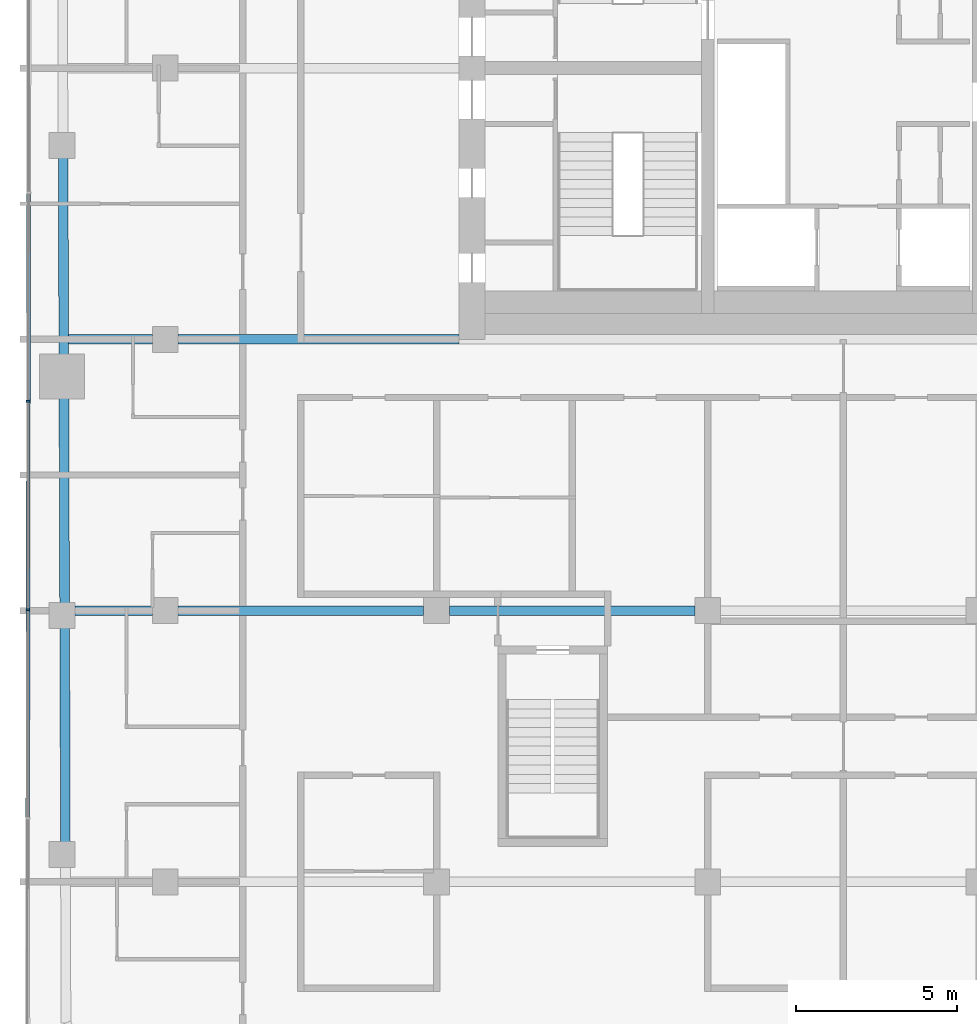
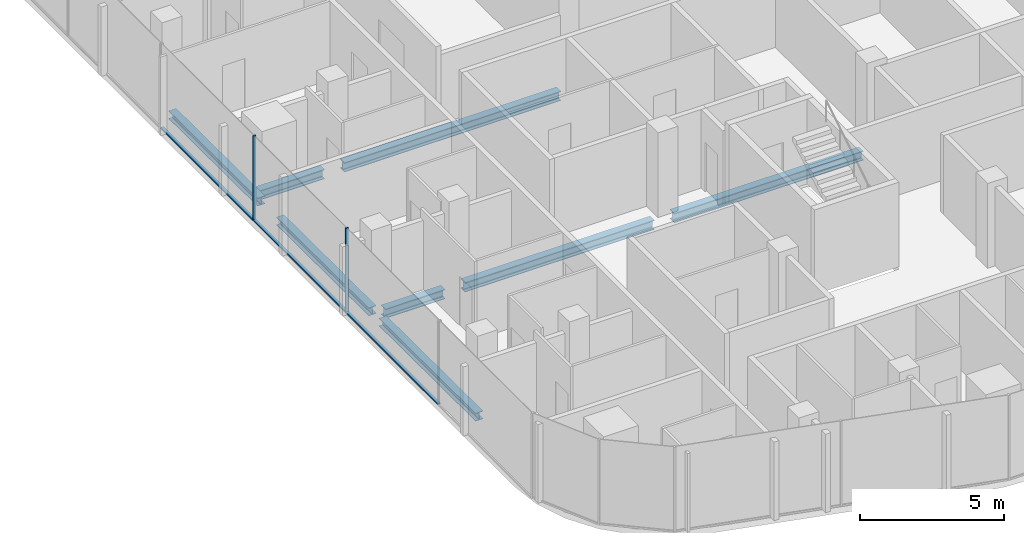
# One storey, part 4 of 22: 8 beams, 5 members, 1 element without a shape of its own.
"""IFC4 building model written with IfcOpenShell, lengths in metres."""

import ifcopenshell
import ifcopenshell.guid

model = None  # the IFC model being written
_history = None  # IfcOwnerHistory: only IFC2X3 demands one
_inside = {}  # id of a spatial element -> (the spatial element, [elements in it])
_under = {}  # id of a project, library or spatial element -> (it, [spatial elements below it])
_declared = {}  # id of a project -> (the project, [libraries it declares])
_typed = {}  # id of a type object -> (the type object, [elements of that type])
_made_of = {}  # id of a material, layer set ... -> (it, [elements and type objects made of it])


def new_model(schema):
    """Start an empty IFC model of exactly this schema.

    Asked for "IFC4X3", IfcOpenShell would pick the latest addendum, in which some entities
    have other attributes; the version numbers below select the first issue.
    IFC2X3 requires an IfcOwnerHistory on every rooted entity: one is made here for all.
    """
    global model, _history
    if schema == "IFC4X3":
        model = ifcopenshell.file(schema_version=(4, 3, 0, 0))
    else:
        model = ifcopenshell.file(schema=schema)
    _inside.clear()
    _under.clear()
    _declared.clear()
    _typed.clear()
    _made_of.clear()
    _history = None
    if model.schema == "IFC2X3":
        org = make("IfcOrganization", Name="unknown")
        user = make(
            "IfcPersonAndOrganization",
            ThePerson=make("IfcPerson", FamilyName="unknown"),
            TheOrganization=org,
        )
        app = make(
            "IfcApplication",
            ApplicationDeveloper=org,
            Version="unknown",
            ApplicationFullName="unknown",
            ApplicationIdentifier="unknown",
        )
        _history = make(
            "IfcOwnerHistory",
            OwningUser=user,
            OwningApplication=app,
            ChangeAction="ADDED",
            CreationDate=0,
        )
    return model


def make(cls, **values):
    """One entity of the class cls with the attributes given. An attribute that is None is left unset."""
    return model.create_entity(
        cls, **{name: value for name, value in values.items() if value is not None}
    )


def rooted(cls, **values):
    """An entity with a GlobalId (a new one), such as an element, a storey or a relation."""
    return make(cls, GlobalId=ifcopenshell.guid.new(), OwnerHistory=_history, **values)


def si_unit(unit_type, name, prefix=None):
    """IfcSIUnit, for example si_unit("LENGTHUNIT", "METRE", prefix="MILLI")."""
    return make("IfcSIUnit", UnitType=unit_type, Prefix=prefix, Name=name)


def assignment(units):
    """IfcUnitAssignment: the units of a project."""
    return None if units is None else make("IfcUnitAssignment", Units=units)


def point(xyz):
    """IfcCartesianPoint."""
    return None if xyz is None else make("IfcCartesianPoint", Coordinates=xyz)


def direction(xyz):
    """IfcDirection."""
    return None if xyz is None else make("IfcDirection", DirectionRatios=xyz)


def frame(location, z_axis=None, x_axis=None):
    """IfcAxis2Placement3D, a coordinate frame: its origin and axes. An axis left out is left unset."""
    return make(
        "IfcAxis2Placement3D",
        Location=point(location),
        Axis=direction(z_axis),
        RefDirection=direction(x_axis),
    )


def frame_2d(location, x_axis=None):
    """IfcAxis2Placement2D, a coordinate frame in the plane: its origin and x axis."""
    return make(
        "IfcAxis2Placement2D", Location=point(location), RefDirection=direction(x_axis)
    )


def origin():
    """The frame at (0, 0, 0) with its axes left unset."""
    return frame((0.0, 0.0, 0.0))


def origin_2d():
    """The frame at (0, 0) in the plane with its x axis left unset."""
    return frame_2d((0.0, 0.0))


def place(relative_to, where):
    """IfcLocalPlacement: puts the frame where relative to a parent placement (None: the world)."""
    return make(
        "IfcLocalPlacement", PlacementRelTo=relative_to, RelativePlacement=where
    )


def context(
    kind, dimensions, precision=None, world=None, true_north=None, identifier=None
):
    """IfcGeometricRepresentationContext, for example the 3D "Model" context."""
    return make(
        "IfcGeometricRepresentationContext",
        ContextIdentifier=identifier,
        ContextType=kind,
        CoordinateSpaceDimension=dimensions,
        Precision=precision,
        WorldCoordinateSystem=world,
        TrueNorth=true_north,
    )


def subcontext(parent, identifier, kind, view, scale=None):
    """IfcGeometricRepresentationSubContext, for example "Body" below "Model"."""
    return make(
        "IfcGeometricRepresentationSubContext",
        ContextIdentifier=identifier,
        ContextType=kind,
        ParentContext=parent,
        TargetScale=scale,
        TargetView=view,
    )


def project(units=None, contexts=None):
    """IfcProject with its units and contexts."""
    return rooted(
        "IfcProject",
        Name="project",
        RepresentationContexts=contexts,
        UnitsInContext=assignment(units),
    )


def spatial(cls, under=None, at=None, **own):
    """A site, building, storey or space (cls), placed at a placement, below another one or the project."""
    s = rooted(cls, ObjectPlacement=at, **own)
    if under is not None:
        _under.setdefault(under.id(), (under, []))[1].append(s)
    return s


def profile(cls, at=None, kind="AREA", **sizes):
    """A parametric profile (cls). Its sizes go by their IFC names, for example OverallWidth=200.0."""
    return make(cls, ProfileType=kind, Position=at, **sizes)


def rectangle(**sizes):
    """IfcRectangleProfileDef."""
    return profile("IfcRectangleProfileDef", **sizes)


def i_section(**sizes):
    """IfcIShapeProfileDef."""
    return profile("IfcIShapeProfileDef", **sizes)


def extrude(swept, where, along, depth):
    """IfcExtrudedAreaSolid: the profile swept, set in the frame where, extruded along a direction by depth."""
    return make(
        "IfcExtrudedAreaSolid",
        SweptArea=swept,
        Position=where,
        ExtrudedDirection=direction(along),
        Depth=depth,
    )


def shape(context_of_items, identifier, shape_type, items):
    """IfcShapeRepresentation: the items that make up one representation, for example the "Body"."""
    return make(
        "IfcShapeRepresentation",
        ContextOfItems=context_of_items,
        RepresentationIdentifier=identifier,
        RepresentationType=shape_type,
        Items=items,
    )


def material(Name=None, Category=None):
    """IfcMaterial."""
    return make("IfcMaterial", Name=Name, Category=Category)


def layer(
    of_material, thickness, ventilated=None, Name=None, Category=None, Priority=None
):
    """IfcMaterialLayer: one layer of a wall or slab, of a material (None: an air gap)."""
    return make(
        "IfcMaterialLayer",
        Material=of_material,
        LayerThickness=thickness,
        IsVentilated=ventilated,
        Name=Name,
        Category=Category,
        Priority=Priority,
    )


def layer_set(layers, Name=None):
    """IfcMaterialLayerSet."""
    return make("IfcMaterialLayerSet", MaterialLayers=layers, LayerSetName=Name)


def material_profile(
    of_material, cross_section, Name=None, Category=None, Priority=None
):
    """IfcMaterialProfile: a cross section and its material."""
    return make(
        "IfcMaterialProfile",
        Name=Name,
        Material=of_material,
        Profile=cross_section,
        Priority=Priority,
        Category=Category,
    )


def profile_set(profiles, Name=None, composite=None):
    """IfcMaterialProfileSet."""
    return make(
        "IfcMaterialProfileSet",
        Name=Name,
        MaterialProfiles=profiles,
        CompositeProfile=composite,
    )


def made_of(thing, what):
    """Note that an element or type object is made of a material, layer set ...; save() writes the relation."""
    if what is not None:
        _made_of.setdefault(what.id(), (what, []))[1].append(thing)
    return thing


def type_object(cls, material=None, **own):
    """A type object (cls), such as IfcWallType, which elements share."""
    return made_of(rooted(cls, **own), material)


def element(
    cls,
    number,
    at=None,
    inside=None,
    cuts=None,
    type_object=None,
    material=None,
    context=None,
    identifier="Body",
    shape_type=None,
    held_by="IfcProductDefinitionShape",
    body=None,
    shapes=None,
    **own,
):
    """One element of the class cls, such as IfcWall. Its Tag is "e" and its number.

    at: its placement. inside: the storey or other place that contains it. cuts: it is an
    opening in that element (IfcRelVoidsElement). A single representation is given by context,
    identifier, shape_type and body (its items); several are given by shapes. held_by: the class
    of the entity that holds the representations. save() writes the other relations.
    """
    e = rooted(cls, Tag="e%d" % number, ObjectPlacement=at, **own)
    if body is not None:
        shapes = [shape(context, identifier, shape_type, body)]
    if shapes is not None:
        e.Representation = make(held_by, Representations=shapes)
    if inside is not None:
        _inside.setdefault(inside.id(), (inside, []))[1].append(e)
    if cuts is not None:
        rooted(
            "IfcRelVoidsElement", RelatingBuildingElement=cuts, RelatedOpeningElement=e
        )
    if type_object is not None:
        _typed.setdefault(type_object.id(), (type_object, []))[1].append(e)
    return made_of(e, material)


def aggregate(whole, parts):
    """IfcRelAggregates: a whole, such as a stair, and the parts it consists of."""
    return rooted("IfcRelAggregates", RelatingObject=whole, RelatedObjects=parts)


def save(model, path):
    """Write the relations noted so far, then the file.

    IfcRelAggregates (storeys below a building ...), IfcRelContainedInSpatialStructure (elements
    in a storey), IfcRelDefinesByType, IfcRelAssociatesMaterial and IfcRelDeclares: one each for
    every whole, place, type object, material and project.
    """
    for whole, parts in _under.values():
        aggregate(whole, parts)
    for where, things in _inside.values():
        rooted(
            "IfcRelContainedInSpatialStructure",
            RelatedElements=things,
            RelatingStructure=where,
        )
    for kind, things in _typed.values():
        rooted("IfcRelDefinesByType", RelatedObjects=things, RelatingType=kind)
    for what, things in _made_of.values():
        rooted("IfcRelAssociatesMaterial", RelatedObjects=things, RelatingMaterial=what)
    for by, libraries in _declared.values():
        rooted("IfcRelDeclares", RelatingContext=by, RelatedDefinitions=libraries)
    model.write(path)


model = new_model("IFC4")

# Units and contexts
model_context = context("Model", 3, precision=1e-05, world=origin(), true_north=direction((0.0, 1.0)))
body_context = subcontext(model_context, "Body", "Model", "MODEL_VIEW")
ifc_project = project(units=[si_unit("LENGTHUNIT", "METRE"), si_unit("AREAUNIT", "SQUARE_METRE"), si_unit("VOLUMEUNIT", "CUBIC_METRE"), si_unit("PLANEANGLEUNIT", "RADIAN"), si_unit("MASSUNIT", "GRAM", prefix="KILO")], contexts=[model_context])

# Site, building, storey
site_placement = place(None, origin())
site = spatial("IfcSite", under=ifc_project, at=site_placement, CompositionType="ELEMENT")
building_placement = place(site_placement, origin())
building = spatial("IfcBuilding", under=site, at=building_placement, Name="Marenta Gate Hotel Tower", CompositionType="ELEMENT")
storey_placement = place(building_placement, frame((0.0, 0.0, 209.300048828125)))
storey = spatial("IfcBuildingStorey", under=building, at=storey_placement, Name="L48", CompositionType="ELEMENT", Elevation=209.300048828125)

# Beams
ifc_material_1 = material(Name="Steel S355", Category="steel")
ifc_material_profile_1 = material_profile(ifc_material_1, i_section(OverallWidth=0.300048828125, OverallDepth=0.340087890625, WebThickness=0.011962890625, FlangeThickness=0.021484375, FilletRadius=0.027099609375, at=origin_2d()), Name="HEB 340")
ifc_profile_set_1 = profile_set([ifc_material_profile_1], Name="Steel S355")
beam_type_1 = type_object("IfcBeamType", Name="Edge beam HEB 340", PredefinedType="SPANDREL", material=ifc_profile_set_1)
beam_1_placement = place(storey_placement, frame((-24.09375, -15.591796875, -0.429931640625), z_axis=(-0.00332539729, 0.999994470851, 0.0), x_axis=(-0.999994470851, -0.00332539729, 0.0)))
element("IfcBeam", 1, at=beam_1_placement, inside=storey, type_object=beam_type_1, Name="L48-EB-6", PredefinedType="SPANDREL", context=body_context, shape_type="SweptSolid", body=[
    extrude(i_section(OverallWidth=0.300048828125, OverallDepth=0.340087890625, WebThickness=0.011962890625, FlangeThickness=0.021484375, FilletRadius=0.027099609375, at=origin_2d()), origin(), (0.0, 0.0, 1.0), 6.680908203125),
])
beam_2_placement = place(storey_placement, frame((-24.118408203125, -8.19091796875, -0.429931640625), z_axis=(-0.003328723523, 0.999994459785, 0.0), x_axis=(-0.999994459785, -0.003328723523, 0.0)))
element("IfcBeam", 2, at=beam_2_placement, inside=storey, type_object=beam_type_1, Name="L48-EB-7", PredefinedType="SPANDREL", context=body_context, shape_type="SweptSolid", body=[
    extrude(i_section(OverallWidth=0.300048828125, OverallDepth=0.340087890625, WebThickness=0.011962890625, FlangeThickness=0.021484375, FilletRadius=0.027099609375, at=origin_2d()), origin(), (0.0, 0.0, 1.0), 6.380859375),
])
beam_3_placement = place(storey_placement, frame((-24.14404296875, -0.489990234375, -0.429931640625), z_axis=(-0.003303859048, 0.999994542243, 0.0), x_axis=(-0.999994542243, -0.003303859048, 0.0)))
element("IfcBeam", 3, at=beam_3_placement, inside=storey, type_object=beam_type_1, Name="L48-EB-8", PredefinedType="SPANDREL", context=body_context, shape_type="SweptSolid", body=[
    extrude(i_section(OverallWidth=0.300048828125, OverallDepth=0.340087890625, WebThickness=0.011962890625, FlangeThickness=0.021484375, FilletRadius=0.027099609375, at=origin_2d()), origin(), (0.0, 0.0, 1.0), 6.13330078125),
])
ifc_material_2 = material(Name="Steel S355", Category="steel")
ifc_material_profile_2 = material_profile(ifc_material_2, i_section(OverallWidth=0.300048828125, OverallDepth=0.39990234375, WebThickness=0.013427734375, FlangeThickness=0.02392578125, FilletRadius=0.027099609375, at=origin_2d()), Name="HEB 400")
ifc_profile_set_2 = profile_set([ifc_material_profile_2], Name="Steel S355")
beam_type_2 = type_object("IfcBeamType", Name="Girder HEB 400", PredefinedType="BEAM", material=ifc_profile_set_2)
beam_4_placement = place(storey_placement, frame((-23.800048828125, -8.39990234375, -0.4599609375), z_axis=(1.0, 0.0, 0.0), x_axis=(0.0, 1.0, 0.0)))
element("IfcBeam", 4, at=beam_4_placement, inside=storey, type_object=beam_type_2, Name="L48-GD-13", PredefinedType="BEAM", context=body_context, shape_type="SweptSolid", body=[
    extrude(i_section(OverallWidth=0.300048828125, OverallDepth=0.39990234375, WebThickness=0.013427734375, FlangeThickness=0.02392578125, FilletRadius=0.027099609375, at=origin_2d()), origin(), (0.0, 0.0, 1.0), 2.400146484375),
])
beam_5_placement = place(storey_placement, frame((-20.60009765625, -8.39990234375, -0.4599609375), z_axis=(1.0, 0.0, 0.0), x_axis=(0.0, 1.0, 0.0)))
element("IfcBeam", 5, at=beam_5_placement, inside=storey, type_object=beam_type_2, Name="L48-GD-14", PredefinedType="BEAM", context=body_context, shape_type="SweptSolid", body=[
    extrude(i_section(OverallWidth=0.300048828125, OverallDepth=0.39990234375, WebThickness=0.013427734375, FlangeThickness=0.02392578125, FilletRadius=0.027099609375, at=origin_2d()), origin(), (0.0, 0.0, 1.0), 7.60009765625),
])
beam_6_placement = place(storey_placement, frame((-12.199951171875, -8.39990234375, -0.4599609375), z_axis=(1.0, 0.0, 0.0), x_axis=(0.0, 1.0, 0.0)))
element("IfcBeam", 6, at=beam_6_placement, inside=storey, type_object=beam_type_2, Name="L48-GD-15", PredefinedType="BEAM", context=body_context, shape_type="SweptSolid", body=[
    extrude(i_section(OverallWidth=0.300048828125, OverallDepth=0.39990234375, WebThickness=0.013427734375, FlangeThickness=0.02392578125, FilletRadius=0.027099609375, at=origin_2d()), origin(), (0.0, 0.0, 1.0), 7.599853515625),
])
beam_7_placement = place(storey_placement, frame((-23.99560546875, 0.0, -0.4599609375), z_axis=(1.0, 0.0, 0.0), x_axis=(0.0, 1.0, 0.0)))
element("IfcBeam", 7, at=beam_7_placement, inside=storey, type_object=beam_type_2, Name="L48-GD-20", PredefinedType="BEAM", context=body_context, shape_type="SweptSolid", body=[
    extrude(i_section(OverallWidth=0.300048828125, OverallDepth=0.39990234375, WebThickness=0.013427734375, FlangeThickness=0.02392578125, FilletRadius=0.027099609375, at=origin_2d()), origin(), (0.0, 0.0, 1.0), 2.595703125),
])
beam_8_placement = place(storey_placement, frame((-20.60009765625, 0.0, -0.4599609375), z_axis=(1.0, 0.0, 0.0), x_axis=(0.0, 1.0, 0.0)))
element("IfcBeam", 8, at=beam_8_placement, inside=storey, type_object=beam_type_2, Name="L48-GD-21", PredefinedType="BEAM", context=body_context, shape_type="SweptSolid", body=[
    extrude(i_section(OverallWidth=0.300048828125, OverallDepth=0.39990234375, WebThickness=0.013427734375, FlangeThickness=0.02392578125, FilletRadius=0.027099609375, at=origin_2d()), origin(), (0.0, 0.0, 1.0), 8.7001953125),
])

# Curtain wall, members
ifc_material_3 = material(Name="Tinted insulated glass in bronze anodised frame", Category="glass")
ifc_layer = layer(ifc_material_3, 0.1201171875)
ifc_layer_set = layer_set([ifc_layer], Name="Tinted insulated glass in bronze anodised frame")
curtain_wall_type = type_object("IfcCurtainWallType", Name="Tower unitised curtain wall CW1", PredefinedType="NOTDEFINED", material=ifc_layer_set)
curtain_wall_placement = place(storey_placement, origin())
curtain_wall = element("IfcCurtainWall", 9, at=curtain_wall_placement, inside=storey, type_object=curtain_wall_type, Name="CW1 run G03", PredefinedType="NOTDEFINED")
ifc_material_4 = material(Name="Bronze anodised aluminium", Category="aluminium")
ifc_material_profile_3 = material_profile(ifc_material_4, rectangle(XDim=0.1201171875, YDim=0.06005859375, at=origin_2d()), Name="Mullion CW1 60x120 bronze anodised aluminium")
ifc_profile_set_3 = profile_set([ifc_material_profile_3], Name="Bronze anodised aluminium")
member_type_1 = type_object("IfcMemberType", Name="Mullion CW1 60x120 bronze anodised aluminium", PredefinedType="MULLION", material=ifc_profile_set_3)
member_1_placement = place(storey_placement, frame((-25.24267578125, -1.913818359375, 0.0), z_axis=(0.0, 0.0, 1.0), x_axis=(0.99999877375, -0.001566045546, 0.0)))
member_1 = element("IfcMember", 10, at=member_1_placement, type_object=member_type_1, Name="CW1 mullion 4", PredefinedType="MULLION", context=body_context, shape_type="SweptSolid", body=[
    extrude(rectangle(XDim=0.1201171875, YDim=0.06005859375, at=origin_2d()), origin(), (0.0, 0.0, 1.0), 3.599853515625),
])
member_2_placement = place(storey_placement, frame((-25.252685546875, -8.373779296875, 0.0), z_axis=(0.0, 0.0, 1.0), x_axis=(0.99999877375, -0.001566045546, 0.0)))
member_2 = element("IfcMember", 11, at=member_2_placement, type_object=member_type_1, Name="CW1 mullion 5", PredefinedType="MULLION", context=body_context, shape_type="SweptSolid", body=[
    extrude(rectangle(XDim=0.1201171875, YDim=0.06005859375, at=origin_2d()), origin(), (0.0, 0.0, 1.0), 3.599853515625),
])
ifc_material_5 = material(Name="Bronze anodised aluminium", Category="aluminium")
ifc_material_profile_4 = material_profile(ifc_material_5, rectangle(XDim=0.1201171875, YDim=0.06005859375, at=origin_2d()), Name="Transom CW1 60x120 bronze anodised aluminium")
ifc_profile_set_4 = profile_set([ifc_material_profile_4], Name="Bronze anodised aluminium")
member_type_2 = type_object("IfcMemberType", Name="Transom CW1 60x120 bronze anodised aluminium", PredefinedType="USERDEFINED", material=ifc_profile_set_4)
member_3_placement = place(storey_placement, frame((-25.232666015625, 4.51611328125, 0.030029296875), z_axis=(-0.001564047831, -0.999998776876, 0.0), x_axis=(0.999998776876, -0.001564047831, 0.0)))
member_3 = element("IfcMember", 12, at=member_3_placement, type_object=member_type_2, Name="CW1 transom 3.1", ObjectType="TRANSOM", PredefinedType="USERDEFINED", context=body_context, shape_type="SweptSolid", body=[
    extrude(rectangle(XDim=0.1201171875, YDim=0.06005859375, at=origin_2d()), origin(), (0.0, 0.0, 1.0), 6.39990234375),
])
member_4_placement = place(storey_placement, frame((-25.24267578125, -1.94384765625, 0.030029296875), z_axis=(-0.001564047831, -0.999998776876, 0.0), x_axis=(0.999998776876, -0.001564047831, 0.0)))
member_4 = element("IfcMember", 13, at=member_4_placement, type_object=member_type_2, Name="CW1 transom 4.1", ObjectType="TRANSOM", PredefinedType="USERDEFINED", context=body_context, shape_type="SweptSolid", body=[
    extrude(rectangle(XDim=0.1201171875, YDim=0.06005859375, at=origin_2d()), origin(), (0.0, 0.0, 1.0), 6.39990234375),
])
member_5_placement = place(storey_placement, frame((-25.2529296875, -8.40380859375, 0.030029296875), z_axis=(-0.001564047831, -0.999998776876, 0.0), x_axis=(0.999998776876, -0.001564047831, 0.0)))
member_5 = element("IfcMember", 14, at=member_5_placement, type_object=member_type_2, Name="CW1 transom 5.1", ObjectType="TRANSOM", PredefinedType="USERDEFINED", context=body_context, shape_type="SweptSolid", body=[
    extrude(rectangle(XDim=0.1201171875, YDim=0.06005859375, at=origin_2d()), origin(), (0.0, 0.0, 1.0), 6.39990234375),
])
aggregate(curtain_wall, [member_1, member_2, member_3, member_4, member_5])

save(model, "model.ifc")
